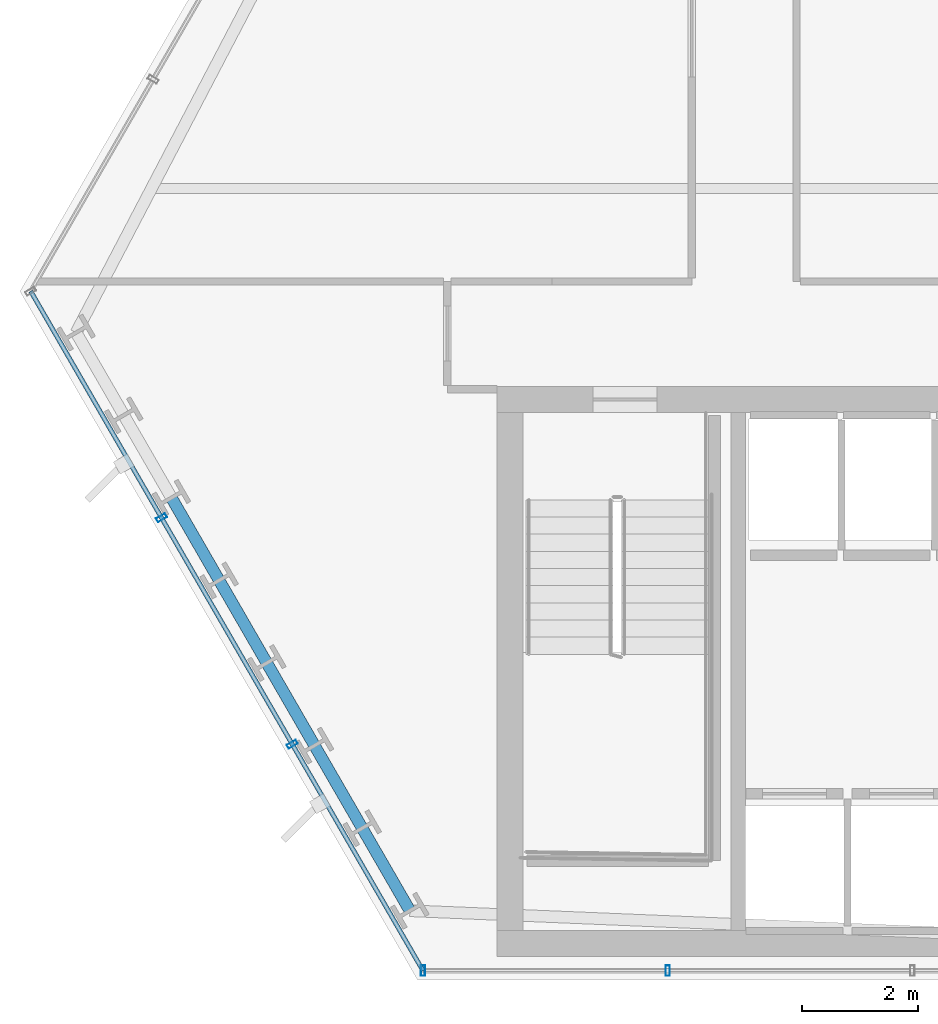
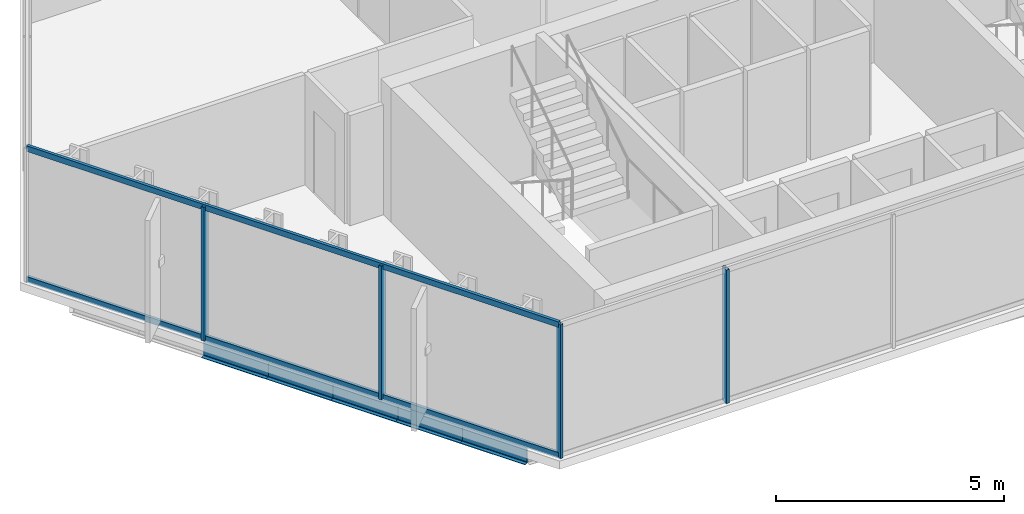
# One storey, part 2 of 31: 6 members, 5 beams, 2 elements without a shape of their own.
"""IFC4 building model written with IfcOpenShell, lengths in metres."""

from ifc_helpers import new_model, si_unit, direction, frame, origin, origin_2d, place, context, subcontext, project, spatial, hollow_rectangle, i_section, extrude, material, layer, layer_set, material_profile, profile_set, type_object, element, aggregate, save


model = new_model("IFC4")

# Units and contexts
model_context = context("Model", 3, precision=1e-05, world=origin(), true_north=direction((0.0, 1.0)))
body_context = subcontext(model_context, "Body", "Model", "MODEL_VIEW")
ifc_project = project(units=[si_unit("LENGTHUNIT", "METRE"), si_unit("AREAUNIT", "SQUARE_METRE"), si_unit("VOLUMEUNIT", "CUBIC_METRE"), si_unit("PLANEANGLEUNIT", "RADIAN"), si_unit("MASSUNIT", "GRAM", prefix="KILO")], contexts=[model_context])

# Site, building, storey
site_placement = place(None, origin())
site = spatial("IfcSite", under=ifc_project, at=site_placement, CompositionType="ELEMENT")
building_placement = place(site_placement, origin())
building = spatial("IfcBuilding", under=site, at=building_placement, Name="Ndaravel Arena Tower", CompositionType="ELEMENT")
storey_placement = place(building_placement, frame((0.0, 0.0, 104.39990234375)))
storey = spatial("IfcBuildingStorey", under=building, at=storey_placement, Name="L24", CompositionType="ELEMENT", Elevation=104.39990234375)

# Beams
ifc_material_1 = material(Name="Steel S355", Category="steel")
ifc_material_profile_1 = material_profile(ifc_material_1, i_section(OverallWidth=0.199951171875, OverallDepth=0.5, WebThickness=0.01025390625, FlangeThickness=0.01611328125, FilletRadius=0.02099609375, at=origin_2d()), Name="IPE 500")
ifc_profile_set_1 = profile_set([ifc_material_profile_1], Name="Steel S355")
beam_type = type_object("IfcBeamType", Name="BM-SPAN-IPE500", PredefinedType="SPANDREL", material=ifc_profile_set_1)
beam_1_placement = place(storey_placement, frame((20.860595703125, 13.284912109375, -0.469970703125), z_axis=(0.499937439699, -0.866061519979, 0.0), x_axis=(0.866061519979, 0.499937439699, 0.0)))
element("IfcBeam", 1, at=beam_1_placement, inside=storey, type_object=beam_type, Name="L24 Perimeter Spandrel Beam SP-22", PredefinedType="SPANDREL", context=body_context, shape_type="SweptSolid", body=[
    extrude(i_section(OverallWidth=0.199951171875, OverallDepth=0.5, WebThickness=0.01025390625, FlangeThickness=0.01611328125, FilletRadius=0.02099609375, at=origin_2d()), origin(), (0.0, 0.0, 1.0), 1.638427734375),
])
beam_2_placement = place(storey_placement, frame((21.6796875, 11.865966796875, -0.469970703125), z_axis=(0.499984679161, -0.866034249094, 0.0), x_axis=(0.866034249094, 0.499984679161, 0.0)))
element("IfcBeam", 2, at=beam_2_placement, inside=storey, type_object=beam_type, Name="L24 Perimeter Spandrel Beam SP-23", PredefinedType="SPANDREL", context=body_context, shape_type="SweptSolid", body=[
    extrude(i_section(OverallWidth=0.199951171875, OverallDepth=0.5, WebThickness=0.01025390625, FlangeThickness=0.01611328125, FilletRadius=0.02099609375, at=origin_2d()), origin(), (0.0, 0.0, 1.0), 1.638671875),
])
beam_3_placement = place(storey_placement, frame((22.4990234375, 10.44677734375, -0.469970703125), z_axis=(0.500049196018, -0.865996998587, 0.0), x_axis=(0.865996998587, 0.500049196018, 0.0)))
element("IfcBeam", 3, at=beam_3_placement, inside=storey, type_object=beam_type, Name="L24 Perimeter Spandrel Beam SP-24", PredefinedType="SPANDREL", context=body_context, shape_type="SweptSolid", body=[
    extrude(i_section(OverallWidth=0.199951171875, OverallDepth=0.5, WebThickness=0.01025390625, FlangeThickness=0.01611328125, FilletRadius=0.02099609375, at=origin_2d()), origin(), (0.0, 0.0, 1.0), 1.638427734375),
])
beam_4_placement = place(storey_placement, frame((23.318359375, 9.02783203125, -0.469970703125), z_axis=(0.499984679161, -0.866034249094, 0.0), x_axis=(0.866034249094, 0.499984679161, 0.0)))
element("IfcBeam", 4, at=beam_4_placement, inside=storey, type_object=beam_type, Name="L24 Perimeter Spandrel Beam SP-25", PredefinedType="SPANDREL", context=body_context, shape_type="SweptSolid", body=[
    extrude(i_section(OverallWidth=0.199951171875, OverallDepth=0.5, WebThickness=0.01025390625, FlangeThickness=0.01611328125, FilletRadius=0.02099609375, at=origin_2d()), origin(), (0.0, 0.0, 1.0), 1.638671875),
])
beam_5_placement = place(storey_placement, frame((24.1376953125, 7.608642578125, -0.469970703125), z_axis=(0.500049196018, -0.865996998587, 0.0), x_axis=(0.865996998587, 0.500049196018, 0.0)))
element("IfcBeam", 5, at=beam_5_placement, inside=storey, type_object=beam_type, Name="L24 Perimeter Spandrel Beam SP-26", PredefinedType="SPANDREL", context=body_context, shape_type="SweptSolid", body=[
    extrude(i_section(OverallWidth=0.199951171875, OverallDepth=0.5, WebThickness=0.01025390625, FlangeThickness=0.01611328125, FilletRadius=0.02099609375, at=origin_2d()), origin(), (0.0, 0.0, 1.0), 1.638427734375),
])

# Curtain wall, members
ifc_material_2 = material(Name="Aluminium", Category="aluminium")
ifc_layer_1 = layer(ifc_material_2, 0.179931640625)
ifc_layer_set_1 = layer_set([ifc_layer_1], Name="Aluminium")
curtain_wall_type_1 = type_object("IfcCurtainWallType", Name="CW-SYS-03", PredefinedType="NOTDEFINED", material=ifc_layer_set_1)
curtain_wall_1_placement = place(storey_placement, origin())
curtain_wall_1 = element("IfcCurtainWall", 6, at=curtain_wall_1_placement, inside=storey, type_object=curtain_wall_type_1, Name="L24 Faceted Crystal Curtain Wall CW-L24-E01", PredefinedType="NOTDEFINED")
ifc_material_3 = material(Name="Aluminium", Category="aluminium")
ifc_material_profile_2 = material_profile(ifc_material_3, hollow_rectangle(XDim=0.074951171875, YDim=0.179931640625, WallThickness=0.00390625, at=origin_2d()), Name="CW MULLION 75x180x4")
ifc_profile_set_2 = profile_set([ifc_material_profile_2], Name="Aluminium")
member_type_1 = type_object("IfcMemberType", Name="MEM-CW-MUL180", PredefinedType="MULLION", material=ifc_profile_set_2)
member_1_placement = place(storey_placement, frame((25.181884765625, 5.159912109375, 0.0), z_axis=(0.0, 0.0, 1.0), x_axis=(1.0, 0.0, 0.0)))
member_1 = element("IfcMember", 7, at=member_1_placement, type_object=member_type_1, Name="CW-L24-E01 Mullion 00", PredefinedType="MULLION", context=body_context, shape_type="SweptSolid", body=[
    extrude(hollow_rectangle(XDim=0.074951171875, YDim=0.179931640625, WallThickness=0.00390625, at=origin_2d()), origin(), (0.0, 0.0, 1.0), 3.580078125),
])
member_2_placement = place(storey_placement, frame((29.386474609375, 5.159912109375, 0.0), z_axis=(0.0, 0.0, 1.0), x_axis=(1.0, 0.0, 0.0)))
member_2 = element("IfcMember", 8, at=member_2_placement, type_object=member_type_1, Name="CW-L24-E01 Mullion 01", PredefinedType="MULLION", context=body_context, shape_type="SweptSolid", body=[
    extrude(hollow_rectangle(XDim=0.074951171875, YDim=0.179931640625, WallThickness=0.00390625, at=origin_2d()), origin(), (0.0, 0.0, 1.0), 3.580078125),
])
aggregate(curtain_wall_1, [member_1, member_2])

ifc_material_4 = material(Name="Aluminium", Category="aluminium")
ifc_layer_2 = layer(ifc_material_4, 0.179931640625)
ifc_layer_set_2 = layer_set([ifc_layer_2], Name="Aluminium")
curtain_wall_type_2 = type_object("IfcCurtainWallType", Name="CW-SYS-02", PredefinedType="NOTDEFINED", material=ifc_layer_set_2)
curtain_wall_2_placement = place(storey_placement, origin())
curtain_wall_2 = element("IfcCurtainWall", 9, at=curtain_wall_2_placement, inside=storey, type_object=curtain_wall_type_2, Name="L24 Faceted Crystal Curtain Wall CW-L24-E06", PredefinedType="NOTDEFINED")
member_3_placement = place(storey_placement, frame((20.689208984375, 12.94189453125, 0.0), z_axis=(0.0, 0.0, 1.0), x_axis=(0.5, -0.866025403784, 0.0)))
member_3 = element("IfcMember", 10, at=member_3_placement, type_object=member_type_1, Name="CW-L24-E06 Mullion 01", PredefinedType="MULLION", context=body_context, shape_type="SweptSolid", body=[
    extrude(hollow_rectangle(XDim=0.074951171875, YDim=0.179931640625, WallThickness=0.00390625, at=origin_2d()), origin(), (0.0, 0.0, 1.0), 3.580078125),
])
member_4_placement = place(storey_placement, frame((22.935546875, 9.05078125, 0.0), z_axis=(0.0, 0.0, 1.0), x_axis=(0.5, -0.866025403784, 0.0)))
member_4 = element("IfcMember", 11, at=member_4_placement, type_object=member_type_1, Name="CW-L24-E06 Mullion 02", PredefinedType="MULLION", context=body_context, shape_type="SweptSolid", body=[
    extrude(hollow_rectangle(XDim=0.074951171875, YDim=0.179931640625, WallThickness=0.00390625, at=origin_2d()), origin(), (0.0, 0.0, 1.0), 3.580078125),
])
ifc_material_5 = material(Name="Aluminium", Category="aluminium")
ifc_material_profile_3 = material_profile(ifc_material_5, hollow_rectangle(XDim=0.074951171875, YDim=0.14990234375, WallThickness=0.00390625, at=origin_2d()), Name="CW TRANSOM 75x150x4")
ifc_profile_set_3 = profile_set([ifc_material_profile_3], Name="Aluminium")
member_type_2 = type_object("IfcMemberType", Name="MEM-CW-TRN150", PredefinedType="USERDEFINED", material=ifc_profile_set_3)
member_5_placement = place(storey_placement, frame((18.442626953125, 16.832763671875, 0.0400390625), z_axis=(0.499996317533, -0.866027529847, 0.0), x_axis=(0.866027529847, 0.499996317533, 0.0)))
member_5 = element("IfcMember", 12, at=member_5_placement, type_object=member_type_2, Name="CW-L24-E06 Transom 01", ObjectType="TRANSOM", PredefinedType="USERDEFINED", context=body_context, shape_type="SweptSolid", body=[
    extrude(hollow_rectangle(XDim=0.074951171875, YDim=0.14990234375, WallThickness=0.00390625, at=origin_2d()), origin(), (0.0, 0.0, 1.0), 13.478515625),
])
member_6_placement = place(storey_placement, frame((18.442626953125, 16.832763671875, 3.5400390625), z_axis=(0.499996317533, -0.866027529847, 0.0), x_axis=(0.866027529847, 0.499996317533, 0.0)))
member_6 = element("IfcMember", 13, at=member_6_placement, type_object=member_type_2, Name="CW-L24-E06 Transom 02", ObjectType="TRANSOM", PredefinedType="USERDEFINED", context=body_context, shape_type="SweptSolid", body=[
    extrude(hollow_rectangle(XDim=0.074951171875, YDim=0.14990234375, WallThickness=0.00390625, at=origin_2d()), origin(), (0.0, 0.0, 1.0), 13.478515625),
])
aggregate(curtain_wall_2, [member_3, member_4, member_5, member_6])

save(model, "model.ifc")
